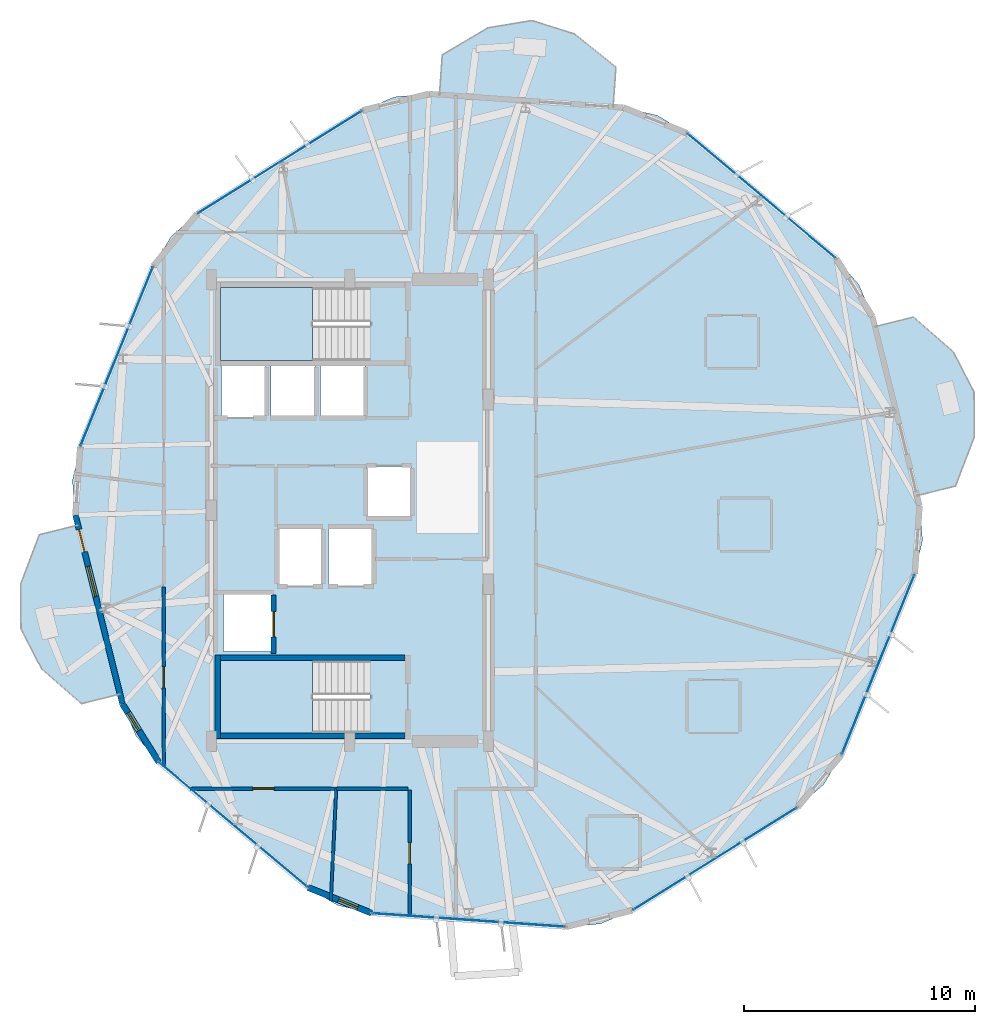
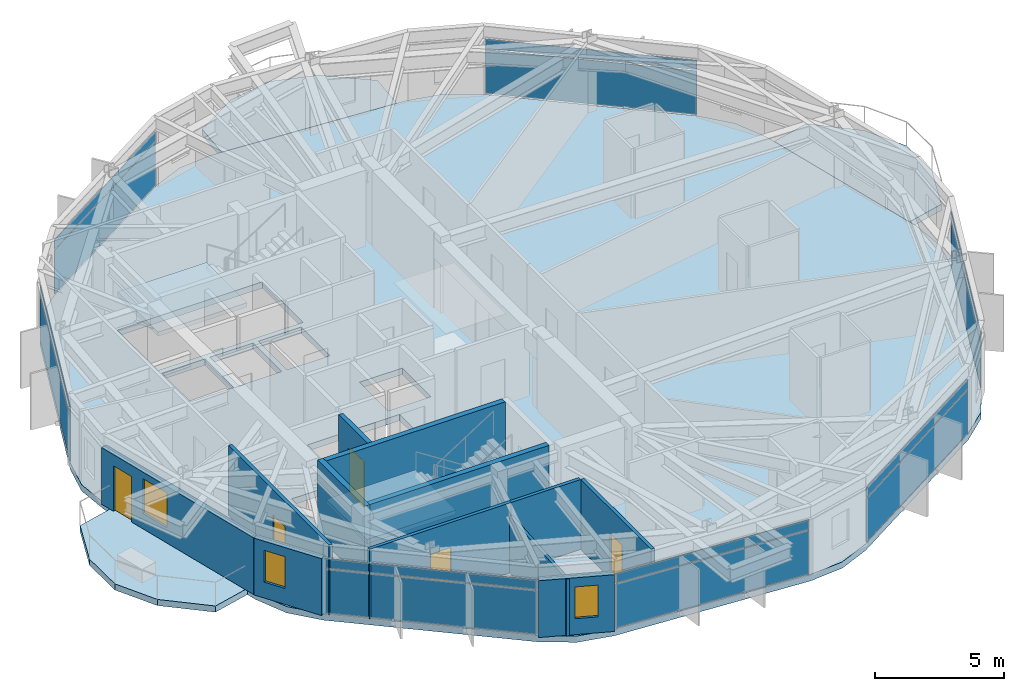
# One storey, part 15 of 22: 14 plates, 12 walls, 6 slabs, 5 doors, 3 windows, 8 openings, 9 elements without a shape of their own.
"""IFC4 building model written with IfcOpenShell, lengths in metres."""

from ifc_helpers import new_model, si_unit, direction, frame, frame_2d, origin, origin_2d, place, context, subcontext, project, spatial, polyline, rectangle, outline, extrude, material, layer, layer_set, type_object, element, fill, aggregate, save


model = new_model("IFC4")

# Units and contexts
model_context = context("Model", 3, precision=1e-05, world=origin(), true_north=direction((0.0, 1.0)))
body_context = subcontext(model_context, "Body", "Model", "MODEL_VIEW")
ifc_project = project(units=[si_unit("LENGTHUNIT", "METRE"), si_unit("AREAUNIT", "SQUARE_METRE"), si_unit("VOLUMEUNIT", "CUBIC_METRE"), si_unit("PLANEANGLEUNIT", "RADIAN"), si_unit("MASSUNIT", "GRAM", prefix="KILO")], contexts=[model_context])

# Site, building, storey
site_placement = place(None, origin())
site = spatial("IfcSite", under=ifc_project, at=site_placement, CompositionType="ELEMENT")
building_placement = place(site_placement, origin())
building = spatial("IfcBuilding", under=site, at=building_placement, Name="Soratama Intermodal Tower", CompositionType="ELEMENT")
storey_placement = place(building_placement, frame((0.0, 0.0, 157.0)))
storey = spatial("IfcBuildingStorey", under=building, at=storey_placement, Name="L38", CompositionType="ELEMENT", Elevation=157.0)

# Curtain wall, plates
ifc_material_1 = material(Name="Double-glazed aluminium curtain wall", Category="aluminium")
ifc_layer_1 = layer(ifc_material_1, 0.159912109375)
ifc_layer_set_1 = layer_set([ifc_layer_1], Name="Double-glazed aluminium curtain wall")
curtain_wall_type = type_object("IfcCurtainWallType", Name="CW-SYS-4", PredefinedType="NOTDEFINED", material=ifc_layer_set_1)
curtain_wall_1_placement = place(storey_placement, origin())
curtain_wall_1 = element("IfcCurtainWall", 1, at=curtain_wall_1_placement, inside=storey, type_object=curtain_wall_type, Name="L38 Faceted Curtain Wall F01", PredefinedType="NOTDEFINED")
ifc_material_2 = material(Name="Low-E laminated double glazing", Category="glass")
ifc_layer_2 = layer(ifc_material_2, 0.02392578125)
ifc_layer_set_2 = layer_set([ifc_layer_2], Name="Low-E laminated double glazing")
plate_type = type_object("IfcPlateType", Name="PT-CWP-4", PredefinedType="CURTAIN_PANEL", material=ifc_layer_set_2)
plate_1_placement = place(storey_placement, frame((56.43896484375, 38.622802734375, 0.06005859375), z_axis=(0.0, 0.0, 1.0), x_axis=(-0.76582015033, 0.643054816752, 0.0)))
plate_1 = element("IfcPlate", 2, at=plate_1_placement, type_object=plate_type, Name="CW-4 panel 1.1", PredefinedType="CURTAIN_PANEL", context=body_context, shape_type="SweptSolid", body=[
    extrude(rectangle(XDim=8.320556640625, YDim=0.028076171875, at=origin_2d()), origin(), (0.0, 0.0, 1.0), 2.06005859375),
])
plate_2_placement = place(storey_placement, frame((56.43896484375, 38.622802734375, 2.179931640625), z_axis=(0.0, 0.0, 1.0), x_axis=(-0.76582015033, 0.643054816752, 0.0)))
plate_2 = element("IfcPlate", 3, at=plate_2_placement, type_object=plate_type, Name="CW-4 panel 1.2", PredefinedType="CURTAIN_PANEL", context=body_context, shape_type="SweptSolid", body=[
    extrude(rectangle(XDim=8.320556640625, YDim=0.028076171875, at=origin_2d()), origin(), (0.0, 0.0, 1.0), 0.43896484375),
])
aggregate(curtain_wall_1, [plate_1, plate_2])

curtain_wall_2_placement = place(storey_placement, origin())
curtain_wall_2 = element("IfcCurtainWall", 4, at=curtain_wall_2_placement, inside=storey, type_object=curtain_wall_type, Name="L38 Faceted Curtain Wall F03", PredefinedType="NOTDEFINED")
plate_3_placement = place(storey_placement, frame((35.578857421875, 40.0888671875, 0.06005859375), z_axis=(0.0, 0.0, 1.0), x_axis=(-0.848228523104, -0.529630411318, 0.0)))
plate_3 = element("IfcPlate", 5, at=plate_3_placement, type_object=plate_type, Name="CW-4 panel 1.1", PredefinedType="CURTAIN_PANEL", context=body_context, shape_type="SweptSolid", body=[
    extrude(rectangle(XDim=8.3203125, YDim=0.028076171875, at=origin_2d()), origin(), (0.0, 0.0, 1.0), 2.06005859375),
])
plate_4_placement = place(storey_placement, frame((35.578857421875, 40.0888671875, 2.179931640625), z_axis=(0.0, 0.0, 1.0), x_axis=(-0.848228523104, -0.529630411318, 0.0)))
plate_4 = element("IfcPlate", 6, at=plate_4_placement, type_object=plate_type, Name="CW-4 panel 1.2", PredefinedType="CURTAIN_PANEL", context=body_context, shape_type="SweptSolid", body=[
    extrude(rectangle(XDim=8.3203125, YDim=0.028076171875, at=origin_2d()), origin(), (0.0, 0.0, 1.0), 0.43896484375),
])
aggregate(curtain_wall_2, [plate_3, plate_4])

curtain_wall_3_placement = place(storey_placement, origin())
curtain_wall_3 = element("IfcCurtainWall", 7, at=curtain_wall_3_placement, inside=storey, type_object=curtain_wall_type, Name="L38 Faceted Curtain Wall F04", PredefinedType="NOTDEFINED")
plate_5_placement = place(storey_placement, frame((28.509033203125, 31.66943359375, 0.06005859375), z_axis=(0.0, 0.0, 1.0), x_axis=(-0.374923941524, -0.927055574425, 0.0)))
plate_5 = element("IfcPlate", 8, at=plate_5_placement, type_object=plate_type, Name="CW-4 panel 1.1", PredefinedType="CURTAIN_PANEL", context=body_context, shape_type="SweptSolid", body=[
    extrude(rectangle(XDim=8.3203125, YDim=0.028076171875, at=origin_2d()), origin(), (0.0, 0.0, 1.0), 2.06005859375),
])
plate_6_placement = place(storey_placement, frame((28.509033203125, 31.66943359375, 2.179931640625), z_axis=(0.0, 0.0, 1.0), x_axis=(-0.374923941524, -0.927055574425, 0.0)))
plate_6 = element("IfcPlate", 9, at=plate_6_placement, type_object=plate_type, Name="CW-4 panel 1.2", PredefinedType="CURTAIN_PANEL", context=body_context, shape_type="SweptSolid", body=[
    extrude(rectangle(XDim=8.3203125, YDim=0.028076171875, at=origin_2d()), origin(), (0.0, 0.0, 1.0), 0.43896484375),
])
aggregate(curtain_wall_3, [plate_5, plate_6])

curtain_wall_4_placement = place(storey_placement, origin())
curtain_wall_4 = element("IfcCurtainWall", 10, at=curtain_wall_4_placement, inside=storey, type_object=curtain_wall_type, Name="L38 Faceted Curtain Wall F06", PredefinedType="NOTDEFINED")
plate_7_placement = place(storey_placement, frame((33.56103515625, 11.377197265625, 0.06005859375), z_axis=(0.0, 0.0, 1.0), x_axis=(0.76582015033, -0.643054816752, 0.0)))
plate_7 = element("IfcPlate", 11, at=plate_7_placement, type_object=plate_type, Name="CW-4 panel 1.1", PredefinedType="CURTAIN_PANEL", context=body_context, shape_type="SweptSolid", body=[
    extrude(rectangle(XDim=8.320556640625, YDim=0.028076171875, at=origin_2d()), origin(), (0.0, 0.0, 1.0), 2.06005859375),
])
plate_8_placement = place(storey_placement, frame((33.56103515625, 11.377197265625, 2.179931640625), z_axis=(0.0, 0.0, 1.0), x_axis=(0.76582015033, -0.643054816752, 0.0)))
plate_8 = element("IfcPlate", 12, at=plate_8_placement, type_object=plate_type, Name="CW-4 panel 1.2", PredefinedType="CURTAIN_PANEL", context=body_context, shape_type="SweptSolid", body=[
    extrude(rectangle(XDim=8.320556640625, YDim=0.028076171875, at=origin_2d()), origin(), (0.0, 0.0, 1.0), 0.43896484375),
])
aggregate(curtain_wall_4, [plate_7, plate_8])

curtain_wall_5_placement = place(storey_placement, origin())
curtain_wall_5 = element("IfcCurtainWall", 13, at=curtain_wall_5_placement, inside=storey, type_object=curtain_wall_type, Name="L38 Faceted Curtain Wall F07", PredefinedType="NOTDEFINED")
plate_9_placement = place(storey_placement, frame((43.7529296875, 7.25537109375, 0.06005859375), z_axis=(0.0, 0.0, 1.0), x_axis=(0.997538945949, -0.070114558507, 0.0)))
plate_9 = element("IfcPlate", 14, at=plate_9_placement, type_object=plate_type, Name="CW-4 panel 1.1", PredefinedType="CURTAIN_PANEL", context=body_context, shape_type="SweptSolid", body=[
    extrude(rectangle(XDim=8.320556640625, YDim=0.028076171875, at=origin_2d()), origin(), (0.0, 0.0, 1.0), 2.06005859375),
])
plate_10_placement = place(storey_placement, frame((43.7529296875, 7.25537109375, 2.179931640625), z_axis=(0.0, 0.0, 1.0), x_axis=(0.997538945949, -0.070114558507, 0.0)))
plate_10 = element("IfcPlate", 15, at=plate_10_placement, type_object=plate_type, Name="CW-4 panel 1.2", PredefinedType="CURTAIN_PANEL", context=body_context, shape_type="SweptSolid", body=[
    extrude(rectangle(XDim=8.320556640625, YDim=0.028076171875, at=origin_2d()), origin(), (0.0, 0.0, 1.0), 0.43896484375),
])
aggregate(curtain_wall_5, [plate_9, plate_10])

curtain_wall_6_placement = place(storey_placement, origin())
curtain_wall_6 = element("IfcCurtainWall", 16, at=curtain_wall_6_placement, inside=storey, type_object=curtain_wall_type, Name="L38 Faceted Curtain Wall F08", PredefinedType="NOTDEFINED")
plate_11_placement = place(storey_placement, frame((54.421142578125, 9.9111328125, 0.06005859375), z_axis=(0.0, 0.0, 1.0), x_axis=(0.848228523104, 0.529630411318, 0.0)))
plate_11 = element("IfcPlate", 17, at=plate_11_placement, type_object=plate_type, Name="CW-4 panel 1.1", PredefinedType="CURTAIN_PANEL", context=body_context, shape_type="SweptSolid", body=[
    extrude(rectangle(XDim=8.3203125, YDim=0.028076171875, at=origin_2d()), origin(), (0.0, 0.0, 1.0), 2.06005859375),
])
plate_12_placement = place(storey_placement, frame((54.421142578125, 9.9111328125, 2.179931640625), z_axis=(0.0, 0.0, 1.0), x_axis=(0.848228523104, 0.529630411318, 0.0)))
plate_12 = element("IfcPlate", 18, at=plate_12_placement, type_object=plate_type, Name="CW-4 panel 1.2", PredefinedType="CURTAIN_PANEL", context=body_context, shape_type="SweptSolid", body=[
    extrude(rectangle(XDim=8.3203125, YDim=0.028076171875, at=origin_2d()), origin(), (0.0, 0.0, 1.0), 0.43896484375),
])
aggregate(curtain_wall_6, [plate_11, plate_12])

curtain_wall_7_placement = place(storey_placement, origin())
curtain_wall_7 = element("IfcCurtainWall", 19, at=curtain_wall_7_placement, inside=storey, type_object=curtain_wall_type, Name="L38 Faceted Curtain Wall F09", PredefinedType="NOTDEFINED")
plate_13_placement = place(storey_placement, frame((61.490966796875, 18.33056640625, 0.06005859375), z_axis=(0.0, 0.0, 1.0), x_axis=(0.374923941524, 0.927055574425, 0.0)))
plate_13 = element("IfcPlate", 20, at=plate_13_placement, type_object=plate_type, Name="CW-4 panel 1.1", PredefinedType="CURTAIN_PANEL", context=body_context, shape_type="SweptSolid", body=[
    extrude(rectangle(XDim=8.3203125, YDim=0.028076171875, at=origin_2d()), origin(), (0.0, 0.0, 1.0), 2.06005859375),
])
plate_14_placement = place(storey_placement, frame((61.490966796875, 18.33056640625, 2.179931640625), z_axis=(0.0, 0.0, 1.0), x_axis=(0.374923941524, 0.927055574425, 0.0)))
plate_14 = element("IfcPlate", 21, at=plate_14_placement, type_object=plate_type, Name="CW-4 panel 1.2", PredefinedType="CURTAIN_PANEL", context=body_context, shape_type="SweptSolid", body=[
    extrude(rectangle(XDim=8.3203125, YDim=0.028076171875, at=origin_2d()), origin(), (0.0, 0.0, 1.0), 0.43896484375),
])
aggregate(curtain_wall_7, [plate_13, plate_14])

# Slabs
ifc_material_3 = material(Name="Concrete f'c 42 MPa", Category="concrete")
ifc_layer_3 = layer(ifc_material_3, 0.2900390625)
ifc_layer_set_3 = layer_set([ifc_layer_3], Name="Concrete f'c 42 MPa")
slab_type_1 = type_object("IfcSlabType", Name="SL-EXT-BAL2", PredefinedType="FLOOR", material=ifc_layer_set_3)
slab_1_placement = place(storey_placement, frame((0.0, 0.0, -0.2900390625)))
element("IfcSlab", 22, at=slab_1_placement, inside=storey, type_object=slab_type_1, Name="L38 Planted Balcony East 1", PredefinedType="FLOOR", context=body_context, shape_type="SweptSolid", body=[
    extrude(outline(polyline([(63.17236328125, 25.638916015625), (61.3505859375, 32.955810546875), (63.019775390625, 33.37158203125), (64.747314453125, 31.85888671875), (65.638427734375, 30.13818359375), (65.658203125, 28.200439453125), (64.84130859375, 26.054443359375), (63.17236328125, 25.638916015625)])), origin(), (0.0, 0.0, 1.0), 0.2900390625),
])
slab_2_placement = place(storey_placement, frame((0.0, 0.0, -0.2900390625)))
element("IfcSlab", 23, at=slab_2_placement, inside=storey, type_object=slab_type_1, Name="L38 Planted Balcony North 2", PredefinedType="FLOOR", context=body_context, shape_type="SweptSolid", body=[
    extrude(outline(polyline([(50.008056640625, 42.48046875), (42.486083984375, 43.009033203125), (42.606689453125, 44.724853515625), (44.5791015625, 45.900390625), (46.490966796875, 46.216064453125), (48.340087890625, 45.635986328125), (50.128662109375, 44.196044921875), (50.008056640625, 42.48046875)])), origin(), (0.0, 0.0, 1.0), 0.2900390625),
])
slab_3_placement = place(storey_placement, frame((0.0, 0.0, -0.2900390625)))
element("IfcSlab", 24, at=slab_3_placement, inside=storey, type_object=slab_type_1, Name="L38 Planted Balcony West 3", PredefinedType="FLOOR", context=body_context, shape_type="SweptSolid", body=[
    extrude(outline(polyline([(26.82763671875, 24.361083984375), (28.6494140625, 17.044189453125), (26.980224609375, 16.62841796875), (25.252685546875, 18.14111328125), (24.361572265625, 19.86181640625), (24.341796875, 21.799560546875), (25.15869140625, 23.945556640625), (26.82763671875, 24.361083984375)])), origin(), (0.0, 0.0, 1.0), 0.2900390625),
])

# Stair, slab
ifc_material_4 = material(Name="Concrete f'c 42 MPa", Category="concrete")
stair_type = type_object("IfcStairType", Name="ST-CORE-DOGLEG", PredefinedType="HALF_TURN_STAIR", material=ifc_material_4)
stair_1_placement = place(storey_placement, origin())
stair_1 = element("IfcStair", 25, at=stair_1_placement, inside=storey, type_object=stair_type, Name="L38 ST-1", PredefinedType="HALF_TURN_STAIR")
ifc_material_5 = material(Name="Concrete f'c 42 MPa", Category="concrete")
ifc_layer_4 = layer(ifc_material_5, 0.219970703125)
ifc_layer_set_4 = layer_set([ifc_layer_4], Name="Concrete f'c 42 MPa")
slab_type_2 = type_object("IfcSlabType", Name="SL-STAIR-LAND", PredefinedType="LANDING", material=ifc_layer_set_4)
slab_4_placement = place(storey_placement, frame((0.0, 0.0, 1.60009765625)))
slab_4 = element("IfcSlab", 26, at=slab_4_placement, type_object=slab_type_2, Name="ST-1 landing 1", PredefinedType="LANDING", context=body_context, shape_type="SweptSolid", body=[
    extrude(outline(polyline([(36.97998046875, 18.5), (33.0, 18.5), (33.0, 15.35009765625), (36.97998046875, 15.35009765625), (36.97998046875, 18.5)])), origin(), (0.0, 0.0, 1.0), 0.199951171875),
])
aggregate(stair_1, [slab_4])

stair_2_placement = place(storey_placement, origin())
stair_2 = element("IfcStair", 27, at=stair_2_placement, inside=storey, type_object=stair_type, Name="L38 ST-2", PredefinedType="HALF_TURN_STAIR")
slab_5_placement = place(storey_placement, frame((0.0, 0.0, 1.60009765625)))
slab_5 = element("IfcSlab", 28, at=slab_5_placement, type_object=slab_type_2, Name="ST-2 landing 1", PredefinedType="LANDING", context=body_context, shape_type="SweptSolid", body=[
    extrude(outline(polyline([(36.97998046875, 34.64990234375), (33.0, 34.64990234375), (33.0, 31.5), (36.97998046875, 31.5), (36.97998046875, 34.64990234375)])), origin(), (0.0, 0.0, 1.0), 0.199951171875),
])
aggregate(stair_2, [slab_5])

# Slab
ifc_material_6 = material(Name="Concrete f'c 42 MPa", Category="concrete")
ifc_layer_5 = layer(ifc_material_6, 0.280029296875)
ifc_layer_set_5 = layer_set([ifc_layer_5], Name="Concrete f'c 42 MPa")
slab_type_3 = type_object("IfcSlabType", Name="SL-TWR-280", PredefinedType="FLOOR", material=ifc_layer_set_5)
slab_6_placement = place(storey_placement, frame((0.0, 0.0, -0.300048828125)))
element("IfcSlab", 29, at=slab_6_placement, inside=storey, type_object=slab_type_3, Name="L38 Structural Floor Slab", PredefinedType="FLOOR", context=body_context, shape_type="SweptSolid", body=[
    extrude(outline(polyline([(61.241943359375, 33.392578125), (60.65576171875, 34.775146484375), (59.6708984375, 35.908935546875), (53.20703125, 41.336669921875), (51.919921875, 42.110595703125), (50.456787109375, 42.44873046875), (42.037109375, 43.04052734375), (40.541015625, 42.91015625), (39.158447265625, 42.323974609375), (31.9990234375, 37.853515625), (30.865478515625, 36.868896484375), (30.09130859375, 35.581787109375), (26.927001953125, 27.757080078125), (26.58837890625, 26.2939453125), (26.718994140625, 24.7978515625), (28.758056640625, 16.607421875), (29.34423828125, 15.224853515625), (30.3291015625, 14.091064453125), (36.79296875, 8.663330078125), (38.080078125, 7.889404296875), (39.543212890625, 7.55126953125), (47.962890625, 6.95947265625), (49.458984375, 7.08984375), (50.841552734375, 7.676025390625), (58.0009765625, 12.146484375), (59.134521484375, 13.131103515625), (59.90869140625, 14.418212890625), (63.072998046875, 22.242919921875), (63.41162109375, 23.7060546875), (63.281005859375, 25.2021484375), (61.241943359375, 33.392578125)]), holes=[polyline([(33.0, 18.5), (33.0, 15.35009765625), (39.47509765625, 15.35009765625), (39.47509765625, 18.5), (33.0, 18.5)]), polyline([(35.260009765625, 21.409912109375), (33.139892578125, 21.409912109375), (33.139892578125, 18.889892578125), (35.260009765625, 18.889892578125), (35.260009765625, 21.409912109375)]), polyline([(37.409912109375, 24.260009765625), (35.489990234375, 24.260009765625), (35.489990234375, 21.739990234375), (37.409912109375, 21.739990234375), (37.409912109375, 24.260009765625)]), polyline([(39.610107421875, 24.260009765625), (37.68994140625, 24.260009765625), (37.68994140625, 21.739990234375), (39.610107421875, 21.739990234375), (39.610107421875, 24.260009765625)]), polyline([(41.260009765625, 26.909912109375), (39.340087890625, 26.909912109375), (39.340087890625, 24.68994140625), (41.260009765625, 24.68994140625), (41.260009765625, 26.909912109375)]), polyline([(34.9599609375, 31.260009765625), (33.0400390625, 31.260009765625), (33.0400390625, 29.0400390625), (34.9599609375, 29.0400390625), (34.9599609375, 31.260009765625)]), polyline([(37.110107421875, 31.260009765625), (35.18994140625, 31.260009765625), (35.18994140625, 29.0400390625), (37.110107421875, 29.0400390625), (37.110107421875, 31.260009765625)]), polyline([(39.260009765625, 29.0400390625), (39.260009765625, 31.260009765625), (37.340087890625, 31.260009765625), (37.340087890625, 29.0400390625), (39.260009765625, 29.0400390625)]), polyline([(39.47509765625, 34.64990234375), (33.0, 34.64990234375), (33.0, 31.5), (39.47509765625, 31.5), (39.47509765625, 34.64990234375)])]), origin(), (0.0, 0.0, 1.0), 0.300048828125),
])

# Wall, openings, door, window
ifc_material_7 = material(Name="Concrete f'c 42 MPa", Category="concrete")
ifc_layer_6 = layer(ifc_material_7, 0.25)
ifc_layer_set_6 = layer_set([ifc_layer_6], Name="Concrete f'c 42 MPa")
wall_type_1 = type_object("IfcWallType", Name="EW-BAL-250", PredefinedType="SOLIDWALL", material=ifc_layer_set_6)
wall_1_placement = place(storey_placement, frame((26.718994140625, 24.7978515625, 0.0), z_axis=(0.0, 0.0, 1.0), x_axis=(0.241582680268, -0.970380239182, 0.0)))
wall_1 = element("IfcWall", 30, at=wall_1_placement, inside=storey, type_object=wall_type_1, Name="L38 Terrace Wall F05", PredefinedType="SOLIDWALL", context=body_context, shape_type="SweptSolid", body=[
    extrude(rectangle(XDim=8.4404296875, YDim=0.25, at=frame_2d((4.22021484375, 0.0))), origin(), (0.0, 0.0, 1.0), 2.678955078125),
])
opening_1_placement = place(wall_1_placement, frame((0.64990234375, 0.0, 0.0)))
opening_1 = element("IfcOpeningElement", 31, at=opening_1_placement, cuts=wall_1, Name="Opening ED-2", PredefinedType="OPENING", context=body_context, shape_type="SweptSolid", body=[
    extrude(rectangle(XDim=1.0, YDim=2.14990234375, at=frame_2d((0.5, 1.074951171875))), frame((0.0, 0.135009765625, 0.0), z_axis=(0.0, -1.0, 0.0), x_axis=(1.0, 0.0, 0.0)), (0.0, 0.0, 1.0), 0.27001953125),
])
opening_2_placement = place(wall_1_placement, frame((2.2900390625, 0.0, 0.719970703125)))
opening_2 = element("IfcOpeningElement", 32, at=opening_2_placement, cuts=wall_1, Name="Opening WN-4", PredefinedType="OPENING", context=body_context, shape_type="SweptSolid", body=[
    extrude(rectangle(XDim=1.35009765625, YDim=1.64990234375, at=frame_2d((0.675048828125, 0.824951171875))), frame((0.0, 0.135009765625, 0.0), z_axis=(0.0, -1.0, 0.0), x_axis=(1.0, 0.0, 0.0)), (0.0, 0.0, 1.0), 0.27001953125),
])
ifc_material_8 = material(Name="Double-glazed aluminium door", Category="aluminium")
door_type_1 = type_object("IfcDoorType", Name="DR-BAL-1000", OperationType="NOTDEFINED", PredefinedType="DOOR", material=ifc_material_8)
door_1_placement = place(opening_1_placement, origin())
door_1 = element("IfcDoor", 33, at=door_1_placement, inside=storey, type_object=door_type_1, Name="L38 Balcony Door F05", OperationType="SINGLE_SWING_LEFT", OverallHeight=2.14990234375, OverallWidth=1.0, PredefinedType="DOOR", context=body_context, shape_type="SweptSolid", body=[
    extrude(rectangle(XDim=1.0, YDim=2.14990234375, at=frame_2d((0.5, 1.074951171875))), frame((0.0, 0.02490234375, 0.0), z_axis=(0.0, -1.0, 0.0), x_axis=(1.0, 0.0, 0.0)), (0.0, 0.0, 1.0), 0.050048828125),
])
fill(opening_1, door_1)
ifc_material_9 = material(Name="Double-glazed aluminium window", Category="aluminium")
window_type_1 = type_object("IfcWindowType", Name="WN-FAC-1350", PartitioningType="SINGLE_PANEL", PredefinedType="WINDOW", material=ifc_material_9)
window_1_placement = place(opening_2_placement, origin())
window_1 = element("IfcWindow", 34, at=window_1_placement, inside=storey, type_object=window_type_1, Name="L38 Window B F05", OverallHeight=1.64990234375, OverallWidth=1.35009765625, PartitioningType="SINGLE_PANEL", PredefinedType="WINDOW", context=body_context, shape_type="SweptSolid", body=[
    extrude(rectangle(XDim=1.35009765625, YDim=1.64990234375, at=frame_2d((0.675048828125, 0.824951171875))), frame((0.0, 0.030029296875, 0.0), z_axis=(0.0, -1.0, 0.0), x_axis=(1.0, 0.0, 0.0)), (0.0, 0.0, 1.0), 0.06005859375),
])
fill(opening_2, window_1)

# Wall, opening, window
ifc_material_10 = material(Name="Concrete f'c 42 MPa", Category="concrete")
ifc_layer_7 = layer(ifc_material_10, 0.27001953125)
ifc_layer_set_7 = layer_set([ifc_layer_7], Name="Concrete f'c 42 MPa")
wall_type_2 = type_object("IfcWallType", Name="EW-CRN-270", PredefinedType="SOLIDWALL", material=ifc_layer_set_7)
wall_2_placement = place(storey_placement, frame((28.758056640625, 16.607421875, 0.0), z_axis=(0.0, 0.0, 1.0), x_axis=(0.529592009117, -0.848252500073, 0.0)))
wall_2 = element("IfcWall", 35, at=wall_2_placement, inside=storey, type_object=wall_type_2, Name="L38 Corner Closure Wall 05", PredefinedType="SOLIDWALL", context=body_context, shape_type="SweptSolid", body=[
    extrude(rectangle(XDim=2.966552734375, YDim=0.27001953125, at=frame_2d((1.4833984375, 0.0))), origin(), (0.0, 0.0, 1.0), 2.678955078125),
])
opening_3_placement = place(wall_2_placement, frame((0.449951171875, 0.0, 0.75)))
opening_3 = element("IfcOpeningElement", 36, at=opening_3_placement, cuts=wall_2, Name="Opening WN-6", PredefinedType="OPENING", context=body_context, shape_type="SweptSolid", body=[
    extrude(rectangle(XDim=0.89990234375, YDim=1.5, at=frame_2d((0.449951171875, 0.75))), frame((0.0, 0.14501953125, 0.0), z_axis=(0.0, -1.0, 0.0), x_axis=(1.0, 0.0, 0.0)), (0.0, 0.0, 1.0), 0.2900390625),
])
ifc_material_11 = material(Name="Double-glazed aluminium window", Category="aluminium")
window_type_2 = type_object("IfcWindowType", Name="WN-FAC-900", PartitioningType="SINGLE_PANEL", PredefinedType="WINDOW", material=ifc_material_11)
window_2_placement = place(opening_3_placement, origin())
window_2 = element("IfcWindow", 37, at=window_2_placement, inside=storey, type_object=window_type_2, Name="L38 Corner Window 05", OverallHeight=1.5, OverallWidth=0.89990234375, PartitioningType="SINGLE_PANEL", PredefinedType="WINDOW", context=body_context, shape_type="SweptSolid", body=[
    extrude(rectangle(XDim=0.89990234375, YDim=1.5, at=frame_2d((0.449951171875, 0.75))), frame((0.0, 0.030029296875, 0.0), z_axis=(0.0, -1.0, 0.0), x_axis=(1.0, 0.0, 0.0)), (0.0, 0.0, 1.0), 0.06005859375),
])
fill(opening_3, window_2)

wall_3_placement = place(storey_placement, frame((36.79296875, 8.663330078125, 0.0), z_axis=(0.0, 0.0, 1.0), x_axis=(0.927079641451, -0.374864426703, 0.0)))
wall_3 = element("IfcWall", 38, at=wall_3_placement, inside=storey, type_object=wall_type_2, Name="L38 Corner Closure Wall 06", PredefinedType="SOLIDWALL", context=body_context, shape_type="SweptSolid", body=[
    extrude(rectangle(XDim=2.966552734375, YDim=0.27001953125, at=frame_2d((1.4833984375, 0.0))), origin(), (0.0, 0.0, 1.0), 2.678955078125),
])
opening_4_placement = place(wall_3_placement, frame((1.422119140625, 0.0, 0.75)))
opening_4 = element("IfcOpeningElement", 39, at=opening_4_placement, cuts=wall_3, Name="Opening WN-6", PredefinedType="OPENING", context=body_context, shape_type="SweptSolid", body=[
    extrude(rectangle(XDim=0.89990234375, YDim=1.5, at=frame_2d((0.449951171875, 0.75))), frame((0.0, 0.14501953125, 0.0), z_axis=(0.0, -1.0, 0.0), x_axis=(1.0, 0.0, 0.0)), (0.0, 0.0, 1.0), 0.2900390625),
])
window_3_placement = place(opening_4_placement, origin())
window_3 = element("IfcWindow", 40, at=window_3_placement, inside=storey, type_object=window_type_2, Name="L38 Corner Window 06", OverallHeight=1.5, OverallWidth=0.89990234375, PartitioningType="SINGLE_PANEL", PredefinedType="WINDOW", context=body_context, shape_type="SweptSolid", body=[
    extrude(rectangle(XDim=0.89990234375, YDim=1.5, at=frame_2d((0.449951171875, 0.75))), frame((0.0, 0.030029296875, 0.0), z_axis=(0.0, -1.0, 0.0), x_axis=(1.0, 0.0, 0.0)), (0.0, 0.0, 1.0), 0.06005859375),
])
fill(opening_4, window_3)

# Wall, opening, door
ifc_material_12 = material(Name="Fire-rated gypsum stud partition", Category="concrete")
ifc_layer_8 = layer(ifc_material_12, 0.14990234375)
ifc_layer_set_8 = layer_set([ifc_layer_8], Name="Fire-rated gypsum stud partition")
wall_type_3 = type_object("IfcWallType", Name="IW-PART-R150", PredefinedType="PARTITIONING", material=ifc_layer_set_8)
wall_4_placement = place(storey_placement, frame((30.550048828125, 13.906005859375, 0.0), z_axis=(0.0, 0.0, 1.0), x_axis=(0.0, 1.0, 0.0)))
wall_4 = element("IfcWall", 41, at=wall_4_placement, inside=storey, type_object=wall_type_3, Name="L38 Partition W-L38-TP006", PredefinedType="PARTITIONING", context=body_context, shape_type="SweptSolid", body=[
    extrude(rectangle(XDim=7.76904296875, YDim=0.14990234375, at=frame_2d((3.884521484375, 0.0))), origin(), (0.0, 0.0, 1.0), 3.300048828125),
])
opening_5_placement = place(wall_4_placement, frame((3.408935546875, 0.0, 0.0)))
opening_5 = element("IfcOpeningElement", 42, at=opening_5_placement, cuts=wall_4, Name="Opening ID-6", PredefinedType="OPENING", context=body_context, shape_type="SweptSolid", body=[
    extrude(rectangle(XDim=0.919921875, YDim=2.1201171875, at=frame_2d((0.4599609375, 1.06005859375))), frame((0.0, 0.0849609375, 0.0), z_axis=(0.0, -1.0, 0.0), x_axis=(1.0, 0.0, 0.0)), (0.0, 0.0, 1.0), 0.169921875),
])
ifc_material_13 = material(Name="Solid hardwood acoustic door", Category="wood")
door_type_2 = type_object("IfcDoorType", Name="DR-ROOM-920", OperationType="NOTDEFINED", PredefinedType="DOOR", material=ifc_material_13)
door_2_placement = place(opening_5_placement, origin())
door_2 = element("IfcDoor", 43, at=door_2_placement, inside=storey, type_object=door_type_2, Name="L38 Door D-L38-TP002", OperationType="SINGLE_SWING_LEFT", OverallHeight=2.1201171875, OverallWidth=0.919921875, PredefinedType="DOOR", context=body_context, shape_type="SweptSolid", body=[
    extrude(rectangle(XDim=0.919921875, YDim=2.1201171875, at=frame_2d((0.4599609375, 1.06005859375))), frame((0.0, 0.02490234375, 0.0), z_axis=(0.0, -1.0, 0.0), x_axis=(1.0, 0.0, 0.0)), (0.0, 0.0, 1.0), 0.050048828125),
])
fill(opening_5, door_2)

wall_5_placement = place(storey_placement, frame((38.01708984375, 12.949951171875, 0.0), z_axis=(0.0, 0.0, 1.0), x_axis=(-1.0, 0.0, 0.0)))
wall_5 = element("IfcWall", 44, at=wall_5_placement, inside=storey, type_object=wall_type_3, Name="L38 Partition W-L38-TP008", PredefinedType="PARTITIONING", context=body_context, shape_type="SweptSolid", body=[
    extrude(rectangle(XDim=6.3291015625, YDim=0.14990234375, at=frame_2d((3.16455078125, 0.0))), origin(), (0.0, 0.0, 1.0), 3.300048828125),
])
opening_6_placement = place(wall_5_placement, frame((2.68994140625, 0.0, 0.0)))
opening_6 = element("IfcOpeningElement", 45, at=opening_6_placement, cuts=wall_5, Name="Opening ID-6", PredefinedType="OPENING", context=body_context, shape_type="SweptSolid", body=[
    extrude(rectangle(XDim=0.919921875, YDim=2.1201171875, at=frame_2d((0.4599609375, 1.06005859375))), frame((0.0, 0.0849609375, 0.0), z_axis=(0.0, -1.0, 0.0), x_axis=(1.0, 0.0, 0.0)), (0.0, 0.0, 1.0), 0.169921875),
])
door_3_placement = place(opening_6_placement, origin())
door_3 = element("IfcDoor", 46, at=door_3_placement, inside=storey, type_object=door_type_2, Name="L38 Door D-L38-TP004", OperationType="SINGLE_SWING_LEFT", OverallHeight=2.1201171875, OverallWidth=0.919921875, PredefinedType="DOOR", context=body_context, shape_type="SweptSolid", body=[
    extrude(rectangle(XDim=0.919921875, YDim=2.1201171875, at=frame_2d((0.4599609375, 1.06005859375))), frame((0.0, 0.02490234375, 0.0), z_axis=(0.0, -1.0, 0.0), x_axis=(1.0, 0.0, 0.0)), (0.0, 0.0, 1.0), 0.050048828125),
])
fill(opening_6, door_3)

wall_6_placement = place(storey_placement, frame((41.199951171875, 7.43505859375, 0.0), z_axis=(0.0, 0.0, 1.0), x_axis=(0.0, 1.0, 0.0)))
wall_6 = element("IfcWall", 47, at=wall_6_placement, inside=storey, type_object=wall_type_3, Name="L38 Partition W-L38-TP013", PredefinedType="PARTITIONING", context=body_context, shape_type="SweptSolid", body=[
    extrude(rectangle(XDim=5.44482421875, YDim=0.14990234375, at=frame_2d((2.722412109375, 0.0))), origin(), (0.0, 0.0, 1.0), 3.300048828125),
])
opening_7_placement = place(wall_6_placement, frame((2.248046875, 0.0, 0.0)))
opening_7 = element("IfcOpeningElement", 48, at=opening_7_placement, cuts=wall_6, Name="Opening ID-6", PredefinedType="OPENING", context=body_context, shape_type="SweptSolid", body=[
    extrude(rectangle(XDim=0.919921875, YDim=2.1201171875, at=frame_2d((0.4599609375, 1.06005859375))), frame((0.0, 0.0849609375, 0.0), z_axis=(0.0, -1.0, 0.0), x_axis=(1.0, 0.0, 0.0)), (0.0, 0.0, 1.0), 0.169921875),
])
door_4_placement = place(opening_7_placement, origin())
door_4 = element("IfcDoor", 49, at=door_4_placement, inside=storey, type_object=door_type_2, Name="L38 Door D-L38-TP008", OperationType="SINGLE_SWING_LEFT", OverallHeight=2.1201171875, OverallWidth=0.919921875, PredefinedType="DOOR", context=body_context, shape_type="SweptSolid", body=[
    extrude(rectangle(XDim=0.919921875, YDim=2.1201171875, at=frame_2d((0.4599609375, 1.06005859375))), frame((0.0, 0.02490234375, 0.0), z_axis=(0.0, -1.0, 0.0), x_axis=(1.0, 0.0, 0.0)), (0.0, 0.0, 1.0), 0.050048828125),
])
fill(opening_7, door_4)

# Walls
wall_7_placement = place(storey_placement, frame((41.1298828125, 12.949951171875, 0.0), z_axis=(0.0, 0.0, 1.0), x_axis=(-1.0, 0.0, 0.0)))
element("IfcWall", 50, at=wall_7_placement, inside=storey, type_object=wall_type_3, Name="L38 Partition W-L38-TP028", PredefinedType="PARTITIONING", context=body_context, shape_type="SweptSolid", body=[
    extrude(rectangle(XDim=3.11279296875, YDim=0.14990234375, at=frame_2d((1.556396484375, 0.0))), origin(), (0.0, 0.0, 1.0), 3.300048828125),
])
ifc_material_14 = material(Name="Fire-rated gypsum stud partition", Category="concrete")
ifc_layer_9 = layer(ifc_material_14, 0.1298828125)
ifc_layer_set_9 = layer_set([ifc_layer_9], Name="Fire-rated gypsum stud partition")
wall_type_4 = type_object("IfcWallType", Name="IW-PART-S130", PredefinedType="PARTITIONING", material=ifc_layer_set_9)
wall_8_placement = place(storey_placement, frame((38.01708984375, 12.949951171875, 0.0), z_axis=(0.0, 0.0, 1.0), x_axis=(-0.048521926966, -0.998822117598, 0.0)))
element("IfcWall", 51, at=wall_8_placement, inside=storey, type_object=wall_type_4, Name="L38 Partition W-L38-TP016", PredefinedType="PARTITIONING", context=body_context, shape_type="SweptSolid", body=[
    extrude(rectangle(XDim=4.8857421875, YDim=0.1298828125, at=frame_2d((2.44287109375, 0.0))), origin(), (0.0, 0.0, 1.0), 2.677978515625),
])

# Wall, opening, door
ifc_material_15 = material(Name="Concrete f'c 42 MPa", Category="concrete")
ifc_layer_10 = layer(ifc_material_15, 0.199951171875)
ifc_layer_set_10 = layer_set([ifc_layer_10], Name="Concrete f'c 42 MPa")
wall_type_5 = type_object("IfcWallType", Name="IW-SHAFT-200", PredefinedType="SOLIDWALL", material=ifc_layer_set_10)
wall_9_placement = place(storey_placement, frame((35.300048828125, 18.7900390625, 0.0), z_axis=(0.0, 0.0, 1.0), x_axis=(0.0, 1.0, 0.0)))
wall_9 = element("IfcWall", 52, at=wall_9_placement, inside=storey, type_object=wall_type_5, Name="L38 SVL-1 Hoistway Wall E", PredefinedType="SOLIDWALL", context=body_context, shape_type="SweptSolid", body=[
    extrude(rectangle(XDim=2.550048828125, YDim=0.199951171875, at=frame_2d((1.27490234375, 0.0))), origin(), (0.0, 0.0, 1.0), 3.300048828125),
])
opening_8_placement = place(wall_9_placement, frame((0.72509765625, 0.0, 0.0)))
opening_8 = element("IfcOpeningElement", 53, at=opening_8_placement, cuts=wall_9, Name="Opening LD-1", PredefinedType="OPENING", context=body_context, shape_type="SweptSolid", body=[
    extrude(rectangle(XDim=1.10009765625, YDim=2.14990234375, at=frame_2d((0.550048828125, 1.074951171875))), frame((0.0, 0.10986328125, 0.0), z_axis=(0.0, -1.0, 0.0), x_axis=(1.0, 0.0, 0.0)), (0.0, 0.0, 1.0), 0.219970703125),
])
ifc_material_16 = material(Name="Steel fire door", Category="steel")
door_type_3 = type_object("IfcDoorType", Name="DR-LIFT-SLIDE", OperationType="NOTDEFINED", PredefinedType="DOOR", material=ifc_material_16)
door_5_placement = place(opening_8_placement, origin())
door_5 = element("IfcDoor", 54, at=door_5_placement, inside=storey, type_object=door_type_3, Name="L38 SVL-1 Sliding Landing Door", OperationType="SLIDING_TO_LEFT", OverallHeight=2.14990234375, OverallWidth=1.10009765625, PredefinedType="DOOR", context=body_context, shape_type="SweptSolid", body=[
    extrude(rectangle(XDim=1.10009765625, YDim=2.14990234375, at=frame_2d((0.550048828125, 1.074951171875))), frame((0.0, 0.02490234375, 0.0), z_axis=(0.0, -1.0, 0.0), x_axis=(1.0, 0.0, 0.0)), (0.0, 0.0, 1.0), 0.050048828125),
])
fill(opening_8, door_5)

# Walls
ifc_material_17 = material(Name="Concrete f'c 56 MPa", Category="concrete")
ifc_layer_11 = layer(ifc_material_17, 0.239990234375)
ifc_layer_set_11 = layer_set([ifc_layer_11], Name="Concrete f'c 56 MPa")
wall_type_6 = type_object("IfcWallType", Name="SW-STAIR-240", PredefinedType="SHEAR", material=ifc_layer_set_11)
wall_10_placement = place(storey_placement, frame((32.8798828125, 15.110107421875, 0.0), z_axis=(0.0, 0.0, 1.0), x_axis=(0.0, 1.0, 0.0)))
element("IfcWall", 55, at=wall_10_placement, inside=storey, type_object=wall_type_6, Name="L38 ST-1 Shaft Shear Wall W", PredefinedType="SHEAR", context=body_context, shape_type="SweptSolid", body=[
    extrude(rectangle(XDim=3.6298828125, YDim=0.239990234375, at=frame_2d((1.81494140625, 0.0))), origin(), (0.0, 0.0, 1.0), 3.60009765625),
])
for number, where, z_axis, x_axis, name in (
    (56, (33.0, 15.22998046875, 0.0), (0.0, 0.0, 1.0), (1.0, 0.0, 0.0), "L38 ST-1 Shaft Shear Wall S"),
    (57, (33.0, 18.6201171875, 0.0), (0.0, 0.0, 1.0), (1.0, 0.0, 0.0), "L38 ST-1 Shaft Shear Wall N"),
):
    element("IfcWall", number, at=place(storey_placement, frame(where, z_axis=z_axis, x_axis=x_axis)), inside=storey, type_object=wall_type_6, Name=name, PredefinedType="SHEAR", context=body_context, shape_type="SweptSolid", body=[
        extrude(rectangle(XDim=8.0, YDim=0.239990234375, at=frame_2d((4.0, 0.0))), origin(), (0.0, 0.0, 1.0), 3.60009765625),
    ])

save(model, "model.ifc")
